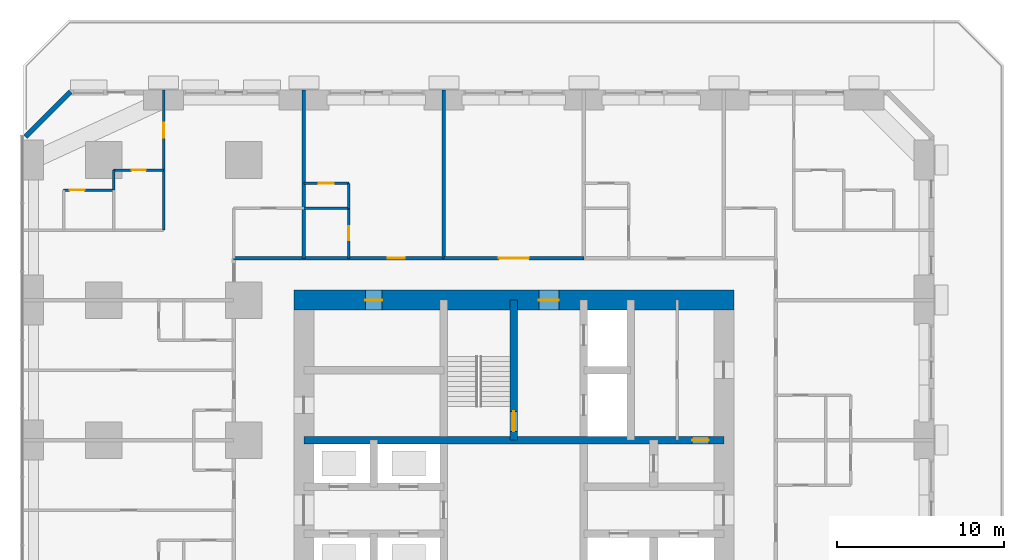
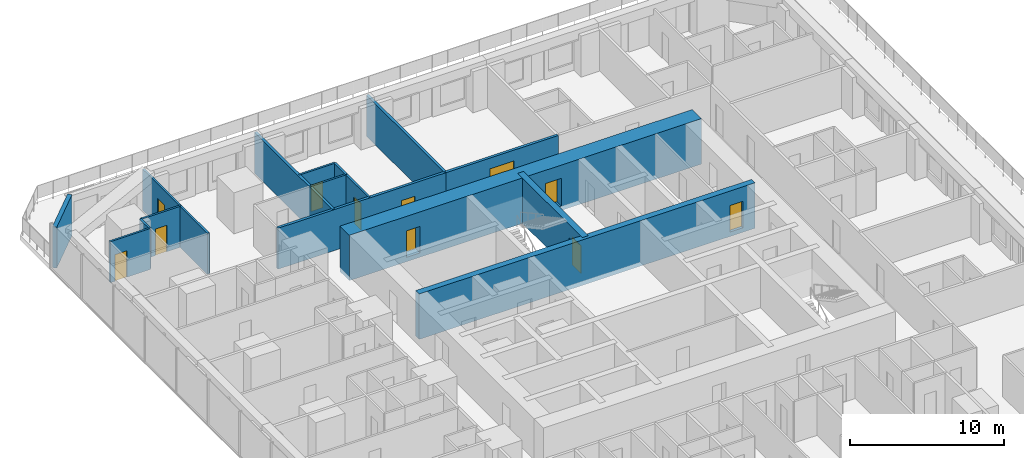
# One storey, part 12 of 16: 16 walls, 11 doors, 11 openings.
"""IFC4 building model written with IfcOpenShell, lengths in metres."""

import ifcopenshell
import ifcopenshell.guid

model = None  # the IFC model being written
_history = None  # IfcOwnerHistory: only IFC2X3 demands one
_inside = {}  # id of a spatial element -> (the spatial element, [elements in it])
_under = {}  # id of a project, library or spatial element -> (it, [spatial elements below it])
_declared = {}  # id of a project -> (the project, [libraries it declares])
_typed = {}  # id of a type object -> (the type object, [elements of that type])
_made_of = {}  # id of a material, layer set ... -> (it, [elements and type objects made of it])


def new_model(schema):
    """Start an empty IFC model of exactly this schema.

    Asked for "IFC4X3", IfcOpenShell would pick the latest addendum, in which some entities
    have other attributes; the version numbers below select the first issue.
    IFC2X3 requires an IfcOwnerHistory on every rooted entity: one is made here for all.
    """
    global model, _history
    if schema == "IFC4X3":
        model = ifcopenshell.file(schema_version=(4, 3, 0, 0))
    else:
        model = ifcopenshell.file(schema=schema)
    _inside.clear()
    _under.clear()
    _declared.clear()
    _typed.clear()
    _made_of.clear()
    _history = None
    if model.schema == "IFC2X3":
        org = make("IfcOrganization", Name="unknown")
        user = make(
            "IfcPersonAndOrganization",
            ThePerson=make("IfcPerson", FamilyName="unknown"),
            TheOrganization=org,
        )
        app = make(
            "IfcApplication",
            ApplicationDeveloper=org,
            Version="unknown",
            ApplicationFullName="unknown",
            ApplicationIdentifier="unknown",
        )
        _history = make(
            "IfcOwnerHistory",
            OwningUser=user,
            OwningApplication=app,
            ChangeAction="ADDED",
            CreationDate=0,
        )
    return model


def make(cls, **values):
    """One entity of the class cls with the attributes given. An attribute that is None is left unset."""
    return model.create_entity(
        cls, **{name: value for name, value in values.items() if value is not None}
    )


def rooted(cls, **values):
    """An entity with a GlobalId (a new one), such as an element, a storey or a relation."""
    return make(cls, GlobalId=ifcopenshell.guid.new(), OwnerHistory=_history, **values)


def si_unit(unit_type, name, prefix=None):
    """IfcSIUnit, for example si_unit("LENGTHUNIT", "METRE", prefix="MILLI")."""
    return make("IfcSIUnit", UnitType=unit_type, Prefix=prefix, Name=name)


def assignment(units):
    """IfcUnitAssignment: the units of a project."""
    return None if units is None else make("IfcUnitAssignment", Units=units)


def point(xyz):
    """IfcCartesianPoint."""
    return None if xyz is None else make("IfcCartesianPoint", Coordinates=xyz)


def direction(xyz):
    """IfcDirection."""
    return None if xyz is None else make("IfcDirection", DirectionRatios=xyz)


def frame(location, z_axis=None, x_axis=None):
    """IfcAxis2Placement3D, a coordinate frame: its origin and axes. An axis left out is left unset."""
    return make(
        "IfcAxis2Placement3D",
        Location=point(location),
        Axis=direction(z_axis),
        RefDirection=direction(x_axis),
    )


def frame_2d(location, x_axis=None):
    """IfcAxis2Placement2D, a coordinate frame in the plane: its origin and x axis."""
    return make(
        "IfcAxis2Placement2D", Location=point(location), RefDirection=direction(x_axis)
    )


def origin():
    """The frame at (0, 0, 0) with its axes left unset."""
    return frame((0.0, 0.0, 0.0))


def place(relative_to, where):
    """IfcLocalPlacement: puts the frame where relative to a parent placement (None: the world)."""
    return make(
        "IfcLocalPlacement", PlacementRelTo=relative_to, RelativePlacement=where
    )


def context(
    kind, dimensions, precision=None, world=None, true_north=None, identifier=None
):
    """IfcGeometricRepresentationContext, for example the 3D "Model" context."""
    return make(
        "IfcGeometricRepresentationContext",
        ContextIdentifier=identifier,
        ContextType=kind,
        CoordinateSpaceDimension=dimensions,
        Precision=precision,
        WorldCoordinateSystem=world,
        TrueNorth=true_north,
    )


def subcontext(parent, identifier, kind, view, scale=None):
    """IfcGeometricRepresentationSubContext, for example "Body" below "Model"."""
    return make(
        "IfcGeometricRepresentationSubContext",
        ContextIdentifier=identifier,
        ContextType=kind,
        ParentContext=parent,
        TargetScale=scale,
        TargetView=view,
    )


def project(units=None, contexts=None):
    """IfcProject with its units and contexts."""
    return rooted(
        "IfcProject",
        Name="project",
        RepresentationContexts=contexts,
        UnitsInContext=assignment(units),
    )


def spatial(cls, under=None, at=None, **own):
    """A site, building, storey or space (cls), placed at a placement, below another one or the project."""
    s = rooted(cls, ObjectPlacement=at, **own)
    if under is not None:
        _under.setdefault(under.id(), (under, []))[1].append(s)
    return s


def profile(cls, at=None, kind="AREA", **sizes):
    """A parametric profile (cls). Its sizes go by their IFC names, for example OverallWidth=200.0."""
    return make(cls, ProfileType=kind, Position=at, **sizes)


def rectangle(**sizes):
    """IfcRectangleProfileDef."""
    return profile("IfcRectangleProfileDef", **sizes)


def extrude(swept, where, along, depth):
    """IfcExtrudedAreaSolid: the profile swept, set in the frame where, extruded along a direction by depth."""
    return make(
        "IfcExtrudedAreaSolid",
        SweptArea=swept,
        Position=where,
        ExtrudedDirection=direction(along),
        Depth=depth,
    )


def shape(context_of_items, identifier, shape_type, items):
    """IfcShapeRepresentation: the items that make up one representation, for example the "Body"."""
    return make(
        "IfcShapeRepresentation",
        ContextOfItems=context_of_items,
        RepresentationIdentifier=identifier,
        RepresentationType=shape_type,
        Items=items,
    )


def material(Name=None, Category=None):
    """IfcMaterial."""
    return make("IfcMaterial", Name=Name, Category=Category)


def layer(
    of_material, thickness, ventilated=None, Name=None, Category=None, Priority=None
):
    """IfcMaterialLayer: one layer of a wall or slab, of a material (None: an air gap)."""
    return make(
        "IfcMaterialLayer",
        Material=of_material,
        LayerThickness=thickness,
        IsVentilated=ventilated,
        Name=Name,
        Category=Category,
        Priority=Priority,
    )


def layer_set(layers, Name=None):
    """IfcMaterialLayerSet."""
    return make("IfcMaterialLayerSet", MaterialLayers=layers, LayerSetName=Name)


def made_of(thing, what):
    """Note that an element or type object is made of a material, layer set ...; save() writes the relation."""
    if what is not None:
        _made_of.setdefault(what.id(), (what, []))[1].append(thing)
    return thing


def type_object(cls, material=None, **own):
    """A type object (cls), such as IfcWallType, which elements share."""
    return made_of(rooted(cls, **own), material)


def element(
    cls,
    number,
    at=None,
    inside=None,
    cuts=None,
    type_object=None,
    material=None,
    context=None,
    identifier="Body",
    shape_type=None,
    held_by="IfcProductDefinitionShape",
    body=None,
    shapes=None,
    **own,
):
    """One element of the class cls, such as IfcWall. Its Tag is "e" and its number.

    at: its placement. inside: the storey or other place that contains it. cuts: it is an
    opening in that element (IfcRelVoidsElement). A single representation is given by context,
    identifier, shape_type and body (its items); several are given by shapes. held_by: the class
    of the entity that holds the representations. save() writes the other relations.
    """
    e = rooted(cls, Tag="e%d" % number, ObjectPlacement=at, **own)
    if body is not None:
        shapes = [shape(context, identifier, shape_type, body)]
    if shapes is not None:
        e.Representation = make(held_by, Representations=shapes)
    if inside is not None:
        _inside.setdefault(inside.id(), (inside, []))[1].append(e)
    if cuts is not None:
        rooted(
            "IfcRelVoidsElement", RelatingBuildingElement=cuts, RelatedOpeningElement=e
        )
    if type_object is not None:
        _typed.setdefault(type_object.id(), (type_object, []))[1].append(e)
    return made_of(e, material)


def fill(opening, filler):
    """IfcRelFillsElement: the door or window that sits in an opening."""
    return rooted(
        "IfcRelFillsElement",
        RelatingOpeningElement=opening,
        RelatedBuildingElement=filler,
    )


def aggregate(whole, parts):
    """IfcRelAggregates: a whole, such as a stair, and the parts it consists of."""
    return rooted("IfcRelAggregates", RelatingObject=whole, RelatedObjects=parts)


def save(model, path):
    """Write the relations noted so far, then the file.

    IfcRelAggregates (storeys below a building ...), IfcRelContainedInSpatialStructure (elements
    in a storey), IfcRelDefinesByType, IfcRelAssociatesMaterial and IfcRelDeclares: one each for
    every whole, place, type object, material and project.
    """
    for whole, parts in _under.values():
        aggregate(whole, parts)
    for where, things in _inside.values():
        rooted(
            "IfcRelContainedInSpatialStructure",
            RelatedElements=things,
            RelatingStructure=where,
        )
    for kind, things in _typed.values():
        rooted("IfcRelDefinesByType", RelatedObjects=things, RelatingType=kind)
    for what, things in _made_of.values():
        rooted("IfcRelAssociatesMaterial", RelatedObjects=things, RelatingMaterial=what)
    for by, libraries in _declared.values():
        rooted("IfcRelDeclares", RelatingContext=by, RelatedDefinitions=libraries)
    model.write(path)


model = new_model("IFC4")

# Units and contexts
model_context = context("Model", 3, precision=1e-05, world=origin(), true_north=direction((0.0, 1.0)))
body_context = subcontext(model_context, "Body", "Model", "MODEL_VIEW")
ifc_project = project(units=[si_unit("LENGTHUNIT", "METRE"), si_unit("AREAUNIT", "SQUARE_METRE"), si_unit("VOLUMEUNIT", "CUBIC_METRE"), si_unit("PLANEANGLEUNIT", "RADIAN"), si_unit("MASSUNIT", "GRAM", prefix="KILO")], contexts=[model_context])

# Site, building, storey
site_placement = place(None, origin())
site = spatial("IfcSite", under=ifc_project, at=site_placement, CompositionType="ELEMENT")
building_placement = place(site_placement, origin())
building = spatial("IfcBuilding", under=site, at=building_placement, Name="Dunama Terrace Hotel", CompositionType="ELEMENT")
storey_placement = place(building_placement, frame((0.0, 0.0, 93.60009765625)))
storey = spatial("IfcBuildingStorey", under=building, at=storey_placement, Name="L23", CompositionType="ELEMENT", Elevation=93.60009765625)

# Wall
ifc_material_1 = material(Name="Gypsum board partition", Category="masonry")
ifc_layer_1 = layer(ifc_material_1, 0.14990234375)
ifc_layer_set_1 = layer_set([ifc_layer_1], Name="Bathroom partition 150")
wall_type_1 = type_object("IfcWallType", Name="Bathroom partition 150", PredefinedType="PARTITIONING", material=ifc_layer_set_1)
wall_1_placement = place(storey_placement, frame((5.39990234375, 48.60009765625, 0.0), z_axis=(0.0, 0.0, 1.0), x_axis=(0.0, 1.0, 0.0)))
element("IfcWall", 1, at=wall_1_placement, inside=storey, type_object=wall_type_1, Name="Bathroom partition 150 L23", PredefinedType="PARTITIONING", context=body_context, shape_type="SweptSolid", body=[
    extrude(rectangle(XDim=1.199951171875, YDim=0.14990234375, at=frame_2d((0.60009765625, 0.0))), origin(), (0.0, 0.0, 1.0), 3.25),
])

# Wall, opening, door
wall_2_placement = place(storey_placement, frame((19.5, 44.5, 0.0), z_axis=(0.0, 0.0, 1.0), x_axis=(0.0, 1.0, 0.0)))
wall_2 = element("IfcWall", 2, at=wall_2_placement, inside=storey, type_object=wall_type_1, Name="Bathroom partition 150 L23", PredefinedType="PARTITIONING", context=body_context, shape_type="SweptSolid", body=[
    extrude(rectangle(XDim=3.0, YDim=0.14990234375, at=frame_2d((1.5, 0.0))), origin(), (0.0, 0.0, 1.0), 3.25),
])
opening_1_placement = place(wall_2_placement, frame((1.074951171875, 0.0, 0.0)))
opening_1 = element("IfcOpeningElement", 3, at=opening_1_placement, cuts=wall_2, Name="Opening L23-050", PredefinedType="OPENING", context=body_context, shape_type="SweptSolid", body=[
    extrude(rectangle(XDim=0.85009765625, YDim=2.10009765625, at=frame_2d((0.425048828125, 1.050048828125))), frame((0.0, 0.0849609375, 0.0), z_axis=(0.0, -1.0, 0.0), x_axis=(1.0, 0.0, 0.0)), (0.0, 0.0, 1.0), 0.169921875),
])
ifc_material_2 = material(Name="Timber door with steel frame", Category="steel")
door_type_1 = type_object("IfcDoorType", Name="Bathroom door 850", OperationType="SINGLE_SWING_LEFT", PredefinedType="DOOR", material=ifc_material_2)
door_1_placement = place(opening_1_placement, origin())
door_1 = element("IfcDoor", 4, at=door_1_placement, inside=storey, type_object=door_type_1, Name="Door to en-suite bathroom L23-050, type D2", OperationType="SINGLE_SWING_LEFT", OverallHeight=2.10009765625, OverallWidth=0.85009765625, PredefinedType="DOOR", context=body_context, shape_type="SweptSolid", body=[
    extrude(rectangle(XDim=0.85009765625, YDim=2.10009765625, at=frame_2d((0.425048828125, 1.050048828125))), frame((0.0, 0.02490234375, 0.0), z_axis=(0.0, -1.0, 0.0), x_axis=(1.0, 0.0, 0.0)), (0.0, 0.0, 1.0), 0.050048828125),
])
fill(opening_1, door_1)

wall_3_placement = place(storey_placement, frame((5.39990234375, 49.800048828125, 0.0), z_axis=(0.0, 0.0, 1.0), x_axis=(1.0, 0.0, 0.0)))
wall_3 = element("IfcWall", 5, at=wall_3_placement, inside=storey, type_object=wall_type_1, Name="Bathroom partition 150 L23", PredefinedType="PARTITIONING", context=body_context, shape_type="SweptSolid", body=[
    extrude(rectangle(XDim=3.0, YDim=0.14990234375, at=frame_2d((1.5, 0.0))), origin(), (0.0, 0.0, 1.0), 3.25),
])
opening_2_placement = place(wall_3_placement, frame((1.074951171875, 0.0, 0.0)))
opening_2 = element("IfcOpeningElement", 6, at=opening_2_placement, cuts=wall_3, Name="Opening L23-090", PredefinedType="OPENING", context=body_context, shape_type="SweptSolid", body=[
    extrude(rectangle(XDim=0.85009765625, YDim=2.10009765625, at=frame_2d((0.425048828125, 1.050048828125))), frame((0.0, 0.0849609375, 0.0), z_axis=(0.0, -1.0, 0.0), x_axis=(1.0, 0.0, 0.0)), (0.0, 0.0, 1.0), 0.169921875),
])
door_2_placement = place(opening_2_placement, frame((0.85009765625, 0.0, 0.0), z_axis=(0.0, 0.0, 1.0), x_axis=(-1.0, 0.0, 0.0)))
door_2 = element("IfcDoor", 7, at=door_2_placement, inside=storey, type_object=door_type_1, Name="Door to en-suite bathroom L23-090, type D2", OperationType="SINGLE_SWING_RIGHT", OverallHeight=2.10009765625, OverallWidth=0.85009765625, PredefinedType="DOOR", context=body_context, shape_type="SweptSolid", body=[
    extrude(rectangle(XDim=0.85009765625, YDim=2.10009765625, at=frame_2d((0.425048828125, 1.050048828125))), frame((0.0, 0.025146484375, 0.0), z_axis=(0.0, -1.0, 0.0), x_axis=(1.0, 0.0, 0.0)), (0.0, 0.0, 1.0), 0.050048828125),
])
fill(opening_2, door_2)

ifc_material_3 = material(Name="Concrete C50/60", Category="concrete")
ifc_layer_2 = layer(ifc_material_3, 0.449951171875)
ifc_layer_set_2 = layer_set([ifc_layer_2], Name="Core inner wall 450")
wall_type_2 = type_object("IfcWallType", Name="Core inner wall 450", PredefinedType="SHEAR", material=ifc_layer_set_2)
wall_4_placement = place(storey_placement, frame((29.39990234375, 33.60009765625, -0.35009765625), z_axis=(0.0, 0.0, 1.0), x_axis=(0.0, 1.0, 0.0)))
wall_4 = element("IfcWall", 8, at=wall_4_placement, inside=storey, type_object=wall_type_2, Name="Core inner wall 450 L23", PredefinedType="SHEAR", context=body_context, shape_type="SweptSolid", body=[
    extrude(rectangle(XDim=8.39990234375, YDim=0.449951171875, at=frame_2d((4.199951171875, 0.0))), origin(), (0.0, 0.0, 1.0), 3.60009765625),
])
opening_3_placement = place(wall_4_placement, frame((0.52490234375, 0.0, 0.35009765625)))
opening_3 = element("IfcOpeningElement", 9, at=opening_3_placement, cuts=wall_4, Name="Opening L23-015", PredefinedType="OPENING", context=body_context, shape_type="SweptSolid", body=[
    extrude(rectangle(XDim=1.199951171875, YDim=2.199951171875, at=frame_2d((0.60009765625, 1.10009765625))), frame((0.0, 0.23486328125, 0.0), z_axis=(0.0, -1.0, 0.0), x_axis=(1.0, 0.0, 0.0)), (0.0, 0.0, 1.0), 0.469970703125),
])
ifc_material_4 = material(Name="Timber door with steel frame", Category="steel")
door_type_2 = type_object("IfcDoorType", Name="Stair door 1200", OperationType="SINGLE_SWING_LEFT", PredefinedType="DOOR", material=ifc_material_4)
door_3_placement = place(opening_3_placement, origin())
door_3 = element("IfcDoor", 10, at=door_3_placement, inside=storey, type_object=door_type_2, Name="Stair door ST1 L23-015, type D5", OperationType="SINGLE_SWING_LEFT", OverallHeight=2.199951171875, OverallWidth=1.199951171875, PredefinedType="DOOR", context=body_context, shape_type="SweptSolid", body=[
    extrude(rectangle(XDim=1.199951171875, YDim=2.199951171875, at=frame_2d((0.60009765625, 1.10009765625))), frame((0.0, 0.02490234375, 0.0), z_axis=(0.0, -1.0, 0.0), x_axis=(1.0, 0.0, 0.0)), (0.0, 0.0, 1.0), 0.050048828125),
])
fill(opening_3, door_3)

wall_5_placement = place(storey_placement, frame((16.800048828125, 33.60009765625, -0.35009765625), z_axis=(0.0, 0.0, 1.0), x_axis=(1.0, 0.0, 0.0)))
wall_5 = element("IfcWall", 11, at=wall_5_placement, inside=storey, type_object=wall_type_2, Name="Core inner wall 450 L23", PredefinedType="SHEAR", context=body_context, shape_type="SweptSolid", body=[
    extrude(rectangle(XDim=25.199951171875, YDim=0.449951171875, at=frame_2d((12.60009765625, 0.0))), origin(), (0.0, 0.0, 1.0), 3.60009765625),
])
opening_4_placement = place(wall_5_placement, frame((23.300048828125, 0.0, 0.35009765625)))
opening_4 = element("IfcOpeningElement", 12, at=opening_4_placement, cuts=wall_5, Name="Opening L23-098", PredefinedType="OPENING", context=body_context, shape_type="SweptSolid", body=[
    extrude(rectangle(XDim=1.0, YDim=2.10009765625, at=frame_2d((0.5, 1.050048828125))), frame((0.0, 0.23486328125, 0.0), z_axis=(0.0, -1.0, 0.0), x_axis=(1.0, 0.0, 0.0)), (0.0, 0.0, 1.0), 0.469970703125),
])
ifc_material_5 = material(Name="Timber door with steel frame", Category="steel")
door_type_3 = type_object("IfcDoorType", Name="Service door 1000", OperationType="SINGLE_SWING_LEFT", PredefinedType="DOOR", material=ifc_material_5)
door_4_placement = place(opening_4_placement, frame((1.0, 0.0, 0.0), z_axis=(0.0, 0.0, 1.0), x_axis=(-1.0, 0.0, 0.0)))
door_4 = element("IfcDoor", 13, at=door_4_placement, inside=storey, type_object=door_type_3, Name="Door to housekeeping and linen store L23-098, type D7", OperationType="SINGLE_SWING_LEFT", OverallHeight=2.10009765625, OverallWidth=1.0, PredefinedType="DOOR", context=body_context, shape_type="SweptSolid", body=[
    extrude(rectangle(XDim=1.0, YDim=2.10009765625, at=frame_2d((0.5, 1.050048828125))), frame((0.0, 0.025146484375, 0.0), z_axis=(0.0, -1.0, 0.0), x_axis=(1.0, 0.0, 0.0)), (0.0, 0.0, 1.0), 0.050048828125),
])
fill(opening_4, door_4)

# Wall, openings, doors
ifc_material_6 = material(Name="Concrete C60/75", Category="concrete")
ifc_layer_3 = layer(ifc_material_6, 1.199951171875)
ifc_layer_set_3 = layer_set([ifc_layer_3], Name="Core wall 1200")
wall_type_3 = type_object("IfcWallType", Name="Core wall 1200", PredefinedType="SHEAR", material=ifc_layer_set_3)
wall_6_placement = place(storey_placement, frame((42.60009765625, 42.0, -0.35009765625), z_axis=(0.0, 0.0, 1.0), x_axis=(-1.0, 0.0, 0.0)))
wall_6 = element("IfcWall", 14, at=wall_6_placement, inside=storey, type_object=wall_type_3, Name="Core wall north L23", PredefinedType="SHEAR", context=body_context, shape_type="SweptSolid", body=[
    extrude(rectangle(XDim=26.400146484375, YDim=1.199951171875, at=frame_2d((13.2001953125, 0.0))), origin(), (0.0, 0.0, 1.0), 3.60009765625),
])
opening_5_placement = place(wall_6_placement, frame((21.10009765625, 0.0, 0.35009765625)))
opening_5 = element("IfcOpeningElement", 15, at=opening_5_placement, cuts=wall_6, Name="Opening L23-095", PredefinedType="OPENING", context=body_context, shape_type="SweptSolid", body=[
    extrude(rectangle(XDim=1.0, YDim=2.10009765625, at=frame_2d((0.5, 1.050048828125))), frame((0.0, 0.60986328125, 0.0), z_axis=(0.0, -1.0, 0.0), x_axis=(1.0, 0.0, 0.0)), (0.0, 0.0, 1.0), 1.219970703125),
])
opening_6_placement = place(wall_6_placement, frame((10.5, 0.0, 0.35009765625)))
opening_6 = element("IfcOpeningElement", 16, at=opening_6_placement, cuts=wall_6, Name="Opening L23-100", PredefinedType="OPENING", context=body_context, shape_type="SweptSolid", body=[
    extrude(rectangle(XDim=1.199951171875, YDim=2.199951171875, at=frame_2d((0.60009765625, 1.10009765625))), frame((0.0, 0.60986328125, 0.0), z_axis=(0.0, -1.0, 0.0), x_axis=(1.0, 0.0, 0.0)), (0.0, 0.0, 1.0), 1.219970703125),
])
ifc_material_7 = material(Name="Timber door with steel frame", Category="steel")
door_type_4 = type_object("IfcDoorType", Name="Firefighting lobby door 1200", OperationType="SINGLE_SWING_LEFT", PredefinedType="DOOR", material=ifc_material_7)
door_5_placement = place(opening_6_placement, origin())
door_5 = element("IfcDoor", 17, at=door_5_placement, inside=storey, type_object=door_type_4, Name="Door to firefighting lobby L23-100, type D4", OperationType="SINGLE_SWING_LEFT", OverallHeight=2.199951171875, OverallWidth=1.199951171875, PredefinedType="DOOR", context=body_context, shape_type="SweptSolid", body=[
    extrude(rectangle(XDim=1.199951171875, YDim=2.199951171875, at=frame_2d((0.60009765625, 1.10009765625))), frame((0.0, 0.02490234375, 0.0), z_axis=(0.0, -1.0, 0.0), x_axis=(1.0, 0.0, 0.0)), (0.0, 0.0, 1.0), 0.050048828125),
])
fill(opening_6, door_5)
door_6_placement = place(opening_5_placement, origin())
door_6 = element("IfcDoor", 18, at=door_6_placement, inside=storey, type_object=door_type_3, Name="Door to communications and riser room L23-095, type D7", OperationType="SINGLE_SWING_LEFT", OverallHeight=2.10009765625, OverallWidth=1.0, PredefinedType="DOOR", context=body_context, shape_type="SweptSolid", body=[
    extrude(rectangle(XDim=1.0, YDim=2.10009765625, at=frame_2d((0.5, 1.050048828125))), frame((0.0, 0.02490234375, 0.0), z_axis=(0.0, -1.0, 0.0), x_axis=(1.0, 0.0, 0.0)), (0.0, 0.0, 1.0), 0.050048828125),
])
fill(opening_5, door_6)

# Wall, opening, door
ifc_material_8 = material(Name="Concrete blockwork", Category="masonry")
ifc_layer_4 = layer(ifc_material_8, 0.199951171875)
ifc_layer_set_4 = layer_set([ifc_layer_4], Name="Corridor partition 200")
wall_type_4 = type_object("IfcWallType", Name="Corridor partition 200", PredefinedType="PARTITIONING", material=ifc_layer_set_4)
wall_7_placement = place(storey_placement, frame((12.60009765625, 44.5, 0.0), z_axis=(0.0, 0.0, 1.0), x_axis=(1.0, 0.0, 0.0)))
wall_7 = element("IfcWall", 19, at=wall_7_placement, inside=storey, type_object=wall_type_4, Name="Corridor partition 200 L23", PredefinedType="PARTITIONING", context=body_context, shape_type="SweptSolid", body=[
    extrude(rectangle(XDim=12.599853515625, YDim=0.199951171875, at=frame_2d((6.2998046875, 0.0))), origin(), (0.0, 0.0, 1.0), 3.25),
])
opening_7_placement = place(wall_7_placement, frame((9.25, 0.0, 0.0)))
opening_7 = element("IfcOpeningElement", 20, at=opening_7_placement, cuts=wall_7, Name="Opening L23-049", PredefinedType="OPENING", context=body_context, shape_type="SweptSolid", body=[
    extrude(rectangle(XDim=1.0, YDim=2.199951171875, at=frame_2d((0.5, 1.10009765625))), frame((0.0, 0.10986328125, 0.0), z_axis=(0.0, -1.0, 0.0), x_axis=(1.0, 0.0, 0.0)), (0.0, 0.0, 1.0), 0.219970703125),
])
ifc_material_9 = material(Name="Timber door with steel frame", Category="steel")
door_type_5 = type_object("IfcDoorType", Name="Guest room door 1000", OperationType="SINGLE_SWING_LEFT", PredefinedType="DOOR", material=ifc_material_9)
door_7_placement = place(opening_7_placement, origin())
door_7 = element("IfcDoor", 21, at=door_7_placement, inside=storey, type_object=door_type_5, Name="Door to terrace junior suite L23-049, type D1", OperationType="SINGLE_SWING_LEFT", OverallHeight=2.199951171875, OverallWidth=1.0, PredefinedType="DOOR", context=body_context, shape_type="SweptSolid", body=[
    extrude(rectangle(XDim=1.0, YDim=2.199951171875, at=frame_2d((0.5, 1.10009765625))), frame((0.0, 0.02490234375, 0.0), z_axis=(0.0, -1.0, 0.0), x_axis=(1.0, 0.0, 0.0)), (0.0, 0.0, 1.0), 0.050048828125),
])
fill(opening_7, door_7)

wall_8_placement = place(storey_placement, frame((33.60009765625, 44.5, 0.0), z_axis=(0.0, 0.0, 1.0), x_axis=(-1.0, 0.0, 0.0)))
wall_8 = element("IfcWall", 22, at=wall_8_placement, inside=storey, type_object=wall_type_4, Name="Corridor partition 200 L23", PredefinedType="PARTITIONING", context=body_context, shape_type="SweptSolid", body=[
    extrude(rectangle(XDim=8.400146484375, YDim=0.199951171875, at=frame_2d((4.2001953125, 0.0))), origin(), (0.0, 0.0, 1.0), 3.25),
])
opening_8_placement = place(wall_8_placement, frame((3.300048828125, 0.0, 0.0)))
opening_8 = element("IfcOpeningElement", 23, at=opening_8_placement, cuts=wall_8, Name="Opening L23-052", PredefinedType="OPENING", context=body_context, shape_type="SweptSolid", body=[
    extrude(rectangle(XDim=1.800048828125, YDim=2.39990234375, at=frame_2d((0.89990234375, 1.199951171875))), frame((0.0, 0.10986328125, 0.0), z_axis=(0.0, -1.0, 0.0), x_axis=(1.0, 0.0, 0.0)), (0.0, 0.0, 1.0), 0.219970703125),
])
ifc_material_10 = material(Name="Aluminium-framed glazed door", Category="aluminium")
door_type_6 = type_object("IfcDoorType", Name="Glazed double door 1800", OperationType="DOUBLE_DOOR_DOUBLE_SWING", PredefinedType="DOOR", material=ifc_material_10)
door_8_placement = place(opening_8_placement, origin())
door_8 = element("IfcDoor", 24, at=door_8_placement, inside=storey, type_object=door_type_6, Name="Door to terrace lounge L23-052, type D8", OperationType="DOUBLE_DOOR_DOUBLE_SWING", OverallHeight=2.39990234375, OverallWidth=1.800048828125, PredefinedType="DOOR", context=body_context, shape_type="SweptSolid", body=[
    extrude(rectangle(XDim=1.800048828125, YDim=2.39990234375, at=frame_2d((0.89990234375, 1.199951171875))), frame((0.0, 0.02490234375, 0.0), z_axis=(0.0, -1.0, 0.0), x_axis=(1.0, 0.0, 0.0)), (0.0, 0.0, 1.0), 0.050048828125),
])
fill(opening_8, door_8)

# Walls
ifc_material_11 = material(Name="Concrete blockwork", Category="masonry")
ifc_layer_5 = layer(ifc_material_11, 0.199951171875)
ifc_layer_set_5 = layer_set([ifc_layer_5], Name="Party wall 200")
wall_type_5 = type_object("IfcWallType", Name="Party wall 200", PredefinedType="PARTITIONING", material=ifc_layer_set_5)
for number, where, z_axis, x_axis, name in (
    (25, (16.800048828125, 44.5, 0.0), (0.0, 0.0, 1.0), (0.0, 1.0, 0.0), "Party wall 200 L23"),
    (26, (25.199951171875, 44.5, 0.0), (0.0, 0.0, 1.0), (0.0, 1.0, 0.0), "Party wall 200 L23"),
):
    element("IfcWall", number, at=place(storey_placement, frame(where, z_axis=z_axis, x_axis=x_axis)), inside=storey, type_object=wall_type_5, Name=name, PredefinedType="PARTITIONING", context=body_context, shape_type="SweptSolid", body=[
        extrude(rectangle(XDim=10.10009765625, YDim=0.199951171875, at=frame_2d((5.050048828125, 0.0))), origin(), (0.0, 0.0, 1.0), 3.25),
    ])

# Wall, opening, door
ifc_material_12 = material(Name="Gypsum board partition", Category="masonry")
ifc_layer_6 = layer(ifc_material_12, 0.14990234375)
ifc_layer_set_6 = layer_set([ifc_layer_6], Name="Room partition 150")
wall_type_6 = type_object("IfcWallType", Name="Room partition 150", PredefinedType="PARTITIONING", material=ifc_layer_set_6)
wall_9_placement = place(storey_placement, frame((8.39990234375, 46.199951171875, 0.0), z_axis=(0.0, 0.0, 1.0), x_axis=(0.0, 1.0, 0.0)))
wall_9 = element("IfcWall", 27, at=wall_9_placement, inside=storey, type_object=wall_type_6, Name="Room partition 150 L23", PredefinedType="PARTITIONING", context=body_context, shape_type="SweptSolid", body=[
    extrude(rectangle(XDim=8.400146484375, YDim=0.14990234375, at=frame_2d((4.2001953125, 0.0))), origin(), (0.0, 0.0, 1.0), 3.25),
])
opening_9_placement = place(wall_9_placement, frame((5.550048828125, 0.0, 0.0)))
opening_9 = element("IfcOpeningElement", 28, at=opening_9_placement, cuts=wall_9, Name="Opening L23-089", PredefinedType="OPENING", context=body_context, shape_type="SweptSolid", body=[
    extrude(rectangle(XDim=0.89990234375, YDim=2.10009765625, at=frame_2d((0.449951171875, 1.050048828125))), frame((0.0, 0.0849609375, 0.0), z_axis=(0.0, -1.0, 0.0), x_axis=(1.0, 0.0, 0.0)), (0.0, 0.0, 1.0), 0.169921875),
])
ifc_material_13 = material(Name="Timber door with steel frame", Category="steel")
door_type_7 = type_object("IfcDoorType", Name="Suite internal door 900", OperationType="SINGLE_SWING_LEFT", PredefinedType="DOOR", material=ifc_material_13)
door_9_placement = place(opening_9_placement, origin())
door_9 = element("IfcDoor", 29, at=door_9_placement, inside=storey, type_object=door_type_7, Name="Door to corner suite bedroom L23-089, type D16", OperationType="SINGLE_SWING_RIGHT", OverallHeight=2.10009765625, OverallWidth=0.89990234375, PredefinedType="DOOR", context=body_context, shape_type="SweptSolid", body=[
    extrude(rectangle(XDim=0.89990234375, YDim=2.10009765625, at=frame_2d((0.449951171875, 1.050048828125))), frame((0.0, 0.02490234375, 0.0), z_axis=(0.0, -1.0, 0.0), x_axis=(1.0, 0.0, 0.0)), (0.0, 0.0, 1.0), 0.050048828125),
])
fill(opening_9, door_9)

# Walls
wall_10_placement = place(storey_placement, frame((19.5, 47.5, 0.0), z_axis=(0.0, 0.0, 1.0), x_axis=(0.0, 1.0, 0.0)))
element("IfcWall", 30, at=wall_10_placement, inside=storey, type_object=wall_type_6, Name="Room partition 150 L23", PredefinedType="PARTITIONING", context=body_context, shape_type="SweptSolid", body=[
    extrude(rectangle(XDim=1.5, YDim=0.14990234375, at=frame_2d((0.75, 0.0))), origin(), (0.0, 0.0, 1.0), 3.25),
])
wall_11_placement = place(storey_placement, frame((16.800048828125, 47.5, 0.0), z_axis=(0.0, 0.0, 1.0), x_axis=(1.0, 0.0, 0.0)))
element("IfcWall", 31, at=wall_11_placement, inside=storey, type_object=wall_type_6, Name="Room partition 150 L23", PredefinedType="PARTITIONING", context=body_context, shape_type="SweptSolid", body=[
    extrude(rectangle(XDim=2.699951171875, YDim=0.14990234375, at=frame_2d((1.35009765625, 0.0))), origin(), (0.0, 0.0, 1.0), 3.25),
])

# Wall, opening, door
wall_12_placement = place(storey_placement, frame((2.39990234375, 48.60009765625, 0.0), z_axis=(0.0, 0.0, 1.0), x_axis=(1.0, 0.0, 0.0)))
wall_12 = element("IfcWall", 32, at=wall_12_placement, inside=storey, type_object=wall_type_6, Name="Room partition 150 L23", PredefinedType="PARTITIONING", context=body_context, shape_type="SweptSolid", body=[
    extrude(rectangle(XDim=3.0, YDim=0.14990234375, at=frame_2d((1.5, 0.0))), origin(), (0.0, 0.0, 1.0), 3.25),
])
opening_10_placement = place(wall_12_placement, frame((0.35009765625, 0.0, 0.0)))
opening_10 = element("IfcOpeningElement", 33, at=opening_10_placement, cuts=wall_12, Name="Opening L23-091", PredefinedType="OPENING", context=body_context, shape_type="SweptSolid", body=[
    extrude(rectangle(XDim=0.89990234375, YDim=2.10009765625, at=frame_2d((0.449951171875, 1.050048828125))), frame((0.0, 0.0849609375, 0.0), z_axis=(0.0, -1.0, 0.0), x_axis=(1.0, 0.0, 0.0)), (0.0, 0.0, 1.0), 0.169921875),
])
door_10_placement = place(opening_10_placement, frame((0.89990234375, 0.0, 0.0), z_axis=(0.0, 0.0, 1.0), x_axis=(-1.0, 0.0, 0.0)))
door_10 = element("IfcDoor", 34, at=door_10_placement, inside=storey, type_object=door_type_7, Name="Door to dressing room L23-091, type D16", OperationType="SINGLE_SWING_RIGHT", OverallHeight=2.10009765625, OverallWidth=0.89990234375, PredefinedType="DOOR", context=body_context, shape_type="SweptSolid", body=[
    extrude(rectangle(XDim=0.89990234375, YDim=2.10009765625, at=frame_2d((0.449951171875, 1.050048828125))), frame((0.0, 0.025146484375, 0.0), z_axis=(0.0, -1.0, 0.0), x_axis=(1.0, 0.0, 0.0)), (0.0, 0.0, 1.0), 0.050048828125),
])
fill(opening_10, door_10)

wall_13_placement = place(storey_placement, frame((16.800048828125, 49.0, 0.0), z_axis=(0.0, 0.0, 1.0), x_axis=(1.0, 0.0, 0.0)))
wall_13 = element("IfcWall", 35, at=wall_13_placement, inside=storey, type_object=wall_type_6, Name="Room partition 150 L23", PredefinedType="PARTITIONING", context=body_context, shape_type="SweptSolid", body=[
    extrude(rectangle(XDim=2.699951171875, YDim=0.14990234375, at=frame_2d((1.35009765625, 0.0))), origin(), (0.0, 0.0, 1.0), 3.25),
])
opening_11_placement = place(wall_13_placement, frame((0.89990234375, 0.0, 0.0)))
opening_11 = element("IfcOpeningElement", 36, at=opening_11_placement, cuts=wall_13, Name="Opening L23-051", PredefinedType="OPENING", context=body_context, shape_type="SweptSolid", body=[
    extrude(rectangle(XDim=0.89990234375, YDim=2.10009765625, at=frame_2d((0.449951171875, 1.050048828125))), frame((0.0, 0.0849609375, 0.0), z_axis=(0.0, -1.0, 0.0), x_axis=(1.0, 0.0, 0.0)), (0.0, 0.0, 1.0), 0.169921875),
])
door_11_placement = place(opening_11_placement, frame((0.89990234375, 0.0, 0.0), z_axis=(0.0, 0.0, 1.0), x_axis=(-1.0, 0.0, 0.0)))
door_11 = element("IfcDoor", 37, at=door_11_placement, inside=storey, type_object=door_type_7, Name="Door to walk-in wardrobe L23-051, type D16", OperationType="SINGLE_SWING_RIGHT", OverallHeight=2.10009765625, OverallWidth=0.89990234375, PredefinedType="DOOR", context=body_context, shape_type="SweptSolid", body=[
    extrude(rectangle(XDim=0.89990234375, YDim=2.10009765625, at=frame_2d((0.449951171875, 1.050048828125))), frame((0.0, 0.025146484375, 0.0), z_axis=(0.0, -1.0, 0.0), x_axis=(1.0, 0.0, 0.0)), (0.0, 0.0, 1.0), 0.050048828125),
])
fill(opening_11, door_11)

# Wall
ifc_material_14 = material(Name="Granite-faced concrete blockwork", Category="masonry")
ifc_layer_7 = layer(ifc_material_14, 0.300048828125)
ifc_layer_set_7 = layer_set([ifc_layer_7], Name="Terrace wall 300")
wall_type_7 = type_object("IfcWallType", Name="Terrace wall 300", PredefinedType="SOLIDWALL", material=ifc_layer_set_7)
wall_14_placement = place(storey_placement, frame((2.805908203125, 54.493896484375, 0.0), z_axis=(0.0, 0.0, 1.0), x_axis=(-0.707106781187, -0.707106781187, 0.0)))
element("IfcWall", 38, at=wall_14_placement, inside=storey, type_object=wall_type_7, Name="Terrace wall 300 L23", PredefinedType="SOLIDWALL", context=body_context, shape_type="SweptSolid", body=[
    extrude(rectangle(XDim=3.818359375, YDim=0.300048828125, at=frame_2d((1.9091796875, 0.0))), origin(), (0.0, 0.0, 1.0), 3.25),
])

save(model, "model.ifc")
